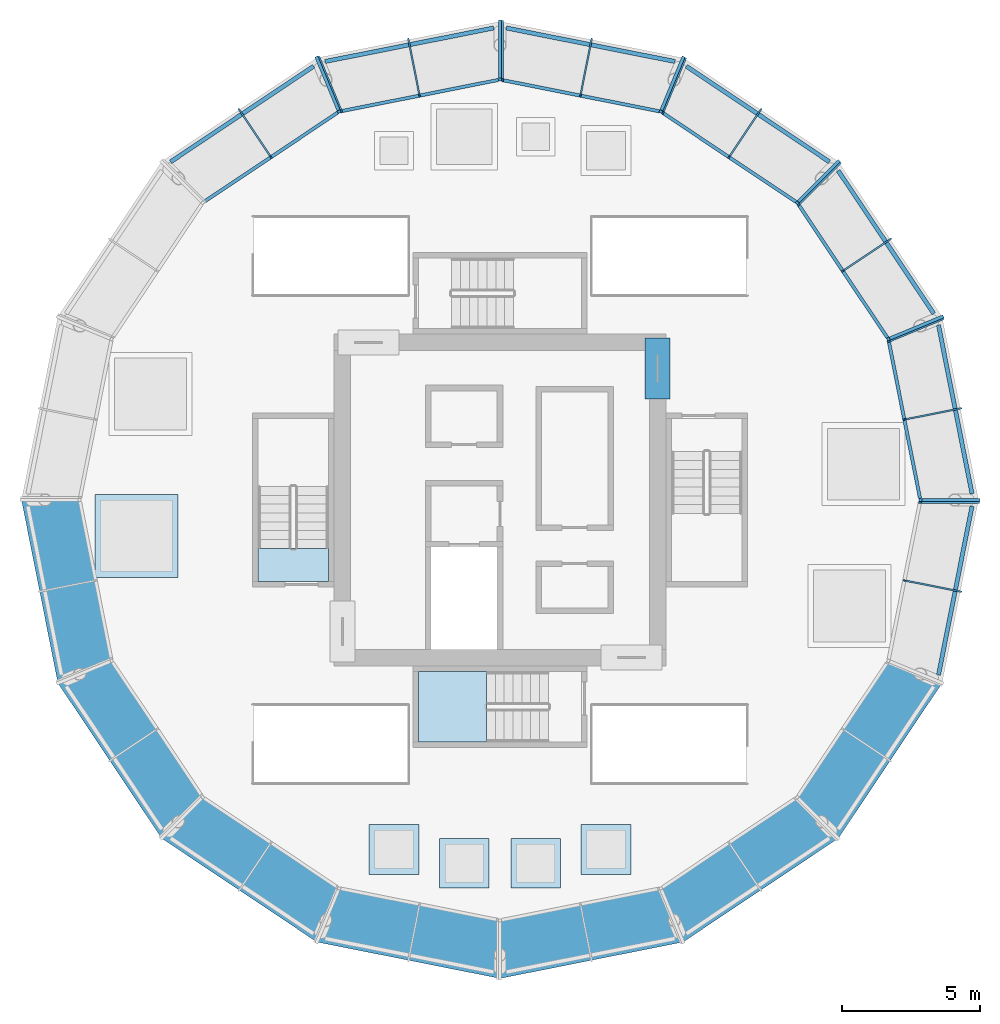
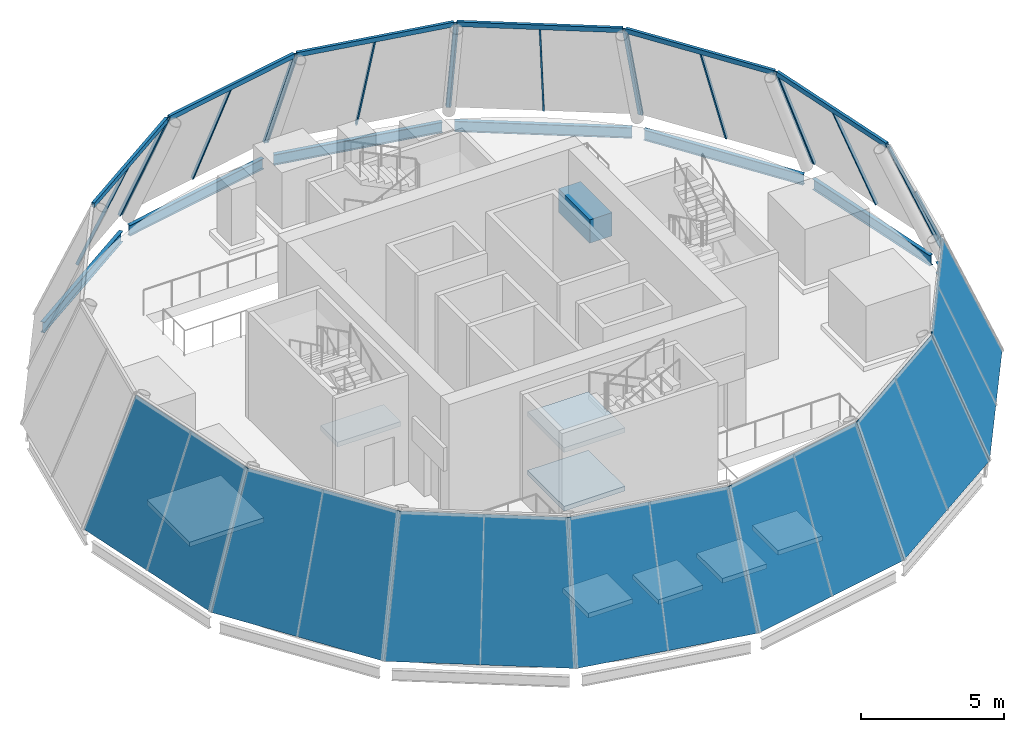
# One storey, part 2 of 8: 25 members, 8 beams, 8 slabs, 7 plates, 16 elements without a shape of their own.
"""IFC4 building model written with IfcOpenShell, lengths in metres."""

from ifc_helpers import new_model, si_unit, direction, frame, origin, origin_2d, place, context, subcontext, project, spatial, polyline, rectangle, hollow_rectangle, i_section, outline, extrude, material, layer, layer_set, material_profile, profile_set, type_object, element, aggregate, save


model = new_model("IFC4")

# Units and contexts
model_context = context("Model", 3, precision=1e-05, world=origin(), true_north=direction((0.0, 1.0)))
body_context = subcontext(model_context, "Body", "Model", "MODEL_VIEW")
ifc_project = project(units=[si_unit("LENGTHUNIT", "METRE"), si_unit("AREAUNIT", "SQUARE_METRE"), si_unit("VOLUMEUNIT", "CUBIC_METRE"), si_unit("PLANEANGLEUNIT", "RADIAN"), si_unit("MASSUNIT", "GRAM", prefix="KILO")], contexts=[model_context])

# Site, building, storey
site_placement = place(None, origin())
site = spatial("IfcSite", under=ifc_project, at=site_placement, CompositionType="ELEMENT")
building_placement = place(site_placement, origin())
building = spatial("IfcBuilding", under=site, at=building_placement, Name="Corvane Civic Tower", CompositionType="ELEMENT")
storey_placement = place(building_placement, frame((0.0, 0.0, 392.5)))
storey = spatial("IfcBuildingStorey", under=building, at=storey_placement, Name="L93", CompositionType="ELEMENT", Elevation=392.5)

# Beam
ifc_material_1 = material(Name="Concrete C40/50", Category="concrete")
ifc_material_profile_1 = material_profile(ifc_material_1, rectangle(XDim=0.89990234375, YDim=1.0, at=origin_2d()), Name="COUPLING BEAM 900X1000")
ifc_profile_set_1 = profile_set([ifc_material_profile_1], Name="Concrete C40/50")
beam_type_1 = type_object("IfcBeamType", Name="COUPLING BEAM COUPLING BEAM 900X1000", PredefinedType="BEAM", material=ifc_profile_set_1)
beam_1_placement = place(storey_placement, frame((5.699951171875, 3.64990234375, 2.60009765625), z_axis=(0.0, 1.0, 0.0), x_axis=(-1.0, 0.0, 0.0)))
element("IfcBeam", 1, at=beam_1_placement, inside=storey, type_object=beam_type_1, Name="BM-L93-cpl-CW-E", PredefinedType="BEAM", context=body_context, shape_type="SweptSolid", body=[
    extrude(rectangle(XDim=0.89990234375, YDim=1.0, at=origin_2d()), origin(), (0.0, 0.0, 1.0), 2.2001953125),
])

# Curtain wall, members
ifc_material_2 = material(Name="Aluminium and glass", Category="aluminium")
curtain_wall_type = type_object("IfcCurtainWallType", Name="CROWN-CW-K-FACET", PredefinedType="NOTDEFINED", material=ifc_material_2)
curtain_wall_1_placement = place(storey_placement, origin())
curtain_wall_1 = element("IfcCurtainWall", 2, at=curtain_wall_1_placement, inside=storey, type_object=curtain_wall_type, Name="Glass cone facet 1 row 2", PredefinedType="NOTDEFINED")
ifc_material_3 = material(Name="Steel ASTM A500 Gr C", Category="steel")
ifc_material_profile_2 = material_profile(ifc_material_3, hollow_rectangle(XDim=0.06005859375, YDim=0.1201171875, WallThickness=0.0048828125, at=origin_2d()), Name="RHS 120x60x5")
ifc_profile_set_2 = profile_set([ifc_material_profile_2], Name="Steel ASTM A500 Gr C")
member_type_1 = type_object("IfcMemberType", Name="CROWN-CWK-MULLION-RHS120x60x5", PredefinedType="MULLION", material=ifc_profile_set_2)
member_1_placement = place(storey_placement, frame((-3.310302734375, 16.6416015625, 0.0), z_axis=(0.074313307931, -0.373553043636, 0.924627306462), x_axis=(0.980780764941, 0.195113021404, 0.0)))
member_1 = element("IfcMember", 3, at=member_1_placement, type_object=member_type_1, Name="Cone mullion 1.2M", PredefinedType="MULLION", context=body_context, shape_type="SweptSolid", body=[
    extrude(hollow_rectangle(XDim=0.06005859375, YDim=0.1201171875, WallThickness=0.0048828125, at=origin_2d()), origin(), (0.0, 0.0, 1.0), 5.407470703125),
])
member_2_placement = place(storey_placement, frame((-6.531982421875, 16.000732421875, 0.0), z_axis=(0.148156706988, -0.357764008033, 0.921984004596), x_axis=(0.92391057023, 0.382608492088, 0.0)))
member_2 = element("IfcMember", 4, at=member_2_placement, type_object=member_type_1, Name="Cone mullion 1.2J", PredefinedType="MULLION", context=body_context, shape_type="SweptSolid", body=[
    extrude(hollow_rectangle(XDim=0.06005859375, YDim=0.1201171875, WallThickness=0.0048828125, at=origin_2d()), origin(), (0.0, 0.0, 1.0), 5.423095703125),
])

# Curtain wall, member
curtain_wall_2_placement = place(storey_placement, origin())
curtain_wall_2 = element("IfcCurtainWall", 5, at=curtain_wall_2_placement, inside=storey, type_object=curtain_wall_type, Name="Glass cone facet 2 row 2", PredefinedType="NOTDEFINED")
member_3_placement = place(storey_placement, frame((-9.426513671875, 14.10791015625, 0.0), z_axis=(0.211565606184, -0.316671182623, 0.924640122629), x_axis=(0.831502740295, 0.555520650274, 0.0)))
member_3 = element("IfcMember", 6, at=member_3_placement, type_object=member_type_1, Name="Cone mullion 2.2M", PredefinedType="MULLION", context=body_context, shape_type="SweptSolid", body=[
    extrude(hollow_rectangle(XDim=0.06005859375, YDim=0.1201171875, WallThickness=0.0048828125, at=origin_2d()), origin(), (0.0, 0.0, 1.0), 5.407470703125),
])

# Curtain wall, members
curtain_wall_3_placement = place(storey_placement, origin())
curtain_wall_3 = element("IfcCurtainWall", 7, at=curtain_wall_3_placement, inside=storey, type_object=curtain_wall_type, Name="Glass cone facet 12 row 2", PredefinedType="NOTDEFINED")
member_4_placement = place(storey_placement, frame((16.6416015625, -3.310302734375, 0.0), z_axis=(-0.373553043636, 0.074313307931, 0.924627306462), x_axis=(-0.195113021404, -0.980780764941, 0.0)))
member_4 = element("IfcMember", 8, at=member_4_placement, type_object=member_type_1, Name="Cone mullion 12.2M", PredefinedType="MULLION", context=body_context, shape_type="SweptSolid", body=[
    extrude(hollow_rectangle(XDim=0.06005859375, YDim=0.1201171875, WallThickness=0.0048828125, at=origin_2d()), origin(), (0.0, 0.0, 1.0), 5.407470703125),
])
member_5_placement = place(storey_placement, frame((17.282470703125, -0.08837890625, 0.0), z_axis=(-0.387247791457, 0.0, 0.921975676475), x_axis=(0.0, -1.0, 0.0)))
member_5 = element("IfcMember", 9, at=member_5_placement, type_object=member_type_1, Name="Cone mullion 12.2J", PredefinedType="MULLION", context=body_context, shape_type="SweptSolid", body=[
    extrude(hollow_rectangle(XDim=0.06005859375, YDim=0.1201171875, WallThickness=0.0048828125, at=origin_2d()), origin(), (0.0, 0.0, 1.0), 5.423095703125),
])
aggregate(curtain_wall_3, [member_4, member_5])

curtain_wall_4_placement = place(storey_placement, origin())
curtain_wall_4 = element("IfcCurtainWall", 10, at=curtain_wall_4_placement, inside=storey, type_object=curtain_wall_type, Name="Glass cone facet 13 row 2", PredefinedType="NOTDEFINED")
member_6_placement = place(storey_placement, frame((16.6416015625, 3.310302734375, 0.0), z_axis=(-0.373553043636, -0.074313307931, 0.924627306462), x_axis=(0.195113021404, -0.980780764941, 0.0)))
member_6 = element("IfcMember", 11, at=member_6_placement, type_object=member_type_1, Name="Cone mullion 13.2M", PredefinedType="MULLION", context=body_context, shape_type="SweptSolid", body=[
    extrude(hollow_rectangle(XDim=0.06005859375, YDim=0.1201171875, WallThickness=0.0048828125, at=origin_2d()), origin(), (0.0, 0.0, 1.0), 5.407470703125),
])
member_7_placement = place(storey_placement, frame((16.000732421875, 6.531982421875, 0.0), z_axis=(-0.357764008033, -0.148156706988, 0.921984004596), x_axis=(0.382608492088, -0.92391057023, 0.0)))
member_7 = element("IfcMember", 12, at=member_7_placement, type_object=member_type_1, Name="Cone mullion 13.2J", PredefinedType="MULLION", context=body_context, shape_type="SweptSolid", body=[
    extrude(hollow_rectangle(XDim=0.06005859375, YDim=0.1201171875, WallThickness=0.0048828125, at=origin_2d()), origin(), (0.0, 0.0, 1.0), 5.423095703125),
])

curtain_wall_5_placement = place(storey_placement, origin())
curtain_wall_5 = element("IfcCurtainWall", 13, at=curtain_wall_5_placement, inside=storey, type_object=curtain_wall_type, Name="Glass cone facet 14 row 2", PredefinedType="NOTDEFINED")
member_8_placement = place(storey_placement, frame((14.10791015625, 9.426513671875, 0.0), z_axis=(-0.316671182623, -0.211565606184, 0.924640122629), x_axis=(0.555520650274, -0.831502740295, 0.0)))
member_8 = element("IfcMember", 14, at=member_8_placement, type_object=member_type_1, Name="Cone mullion 14.2M", PredefinedType="MULLION", context=body_context, shape_type="SweptSolid", body=[
    extrude(hollow_rectangle(XDim=0.06005859375, YDim=0.1201171875, WallThickness=0.0048828125, at=origin_2d()), origin(), (0.0, 0.0, 1.0), 5.407470703125),
])
member_9_placement = place(storey_placement, frame((12.282958984375, 12.158203125, 0.0), z_axis=(-0.273801785104, -0.273846803484, 0.921976415477), x_axis=(0.707164905125, -0.70704865247, 0.0)))
member_9 = element("IfcMember", 15, at=member_9_placement, type_object=member_type_1, Name="Cone mullion 14.2J", PredefinedType="MULLION", context=body_context, shape_type="SweptSolid", body=[
    extrude(hollow_rectangle(XDim=0.06005859375, YDim=0.1201171875, WallThickness=0.0048828125, at=origin_2d()), origin(), (0.0, 0.0, 1.0), 5.423095703125),
])

curtain_wall_6_placement = place(storey_placement, origin())
curtain_wall_6 = element("IfcCurtainWall", 16, at=curtain_wall_6_placement, inside=storey, type_object=curtain_wall_type, Name="Glass cone facet 15 row 2", PredefinedType="NOTDEFINED")
member_10_placement = place(storey_placement, frame((9.426513671875, 14.10791015625, 0.0), z_axis=(-0.211565606184, -0.316671182623, 0.924640122629), x_axis=(0.831502740295, -0.555520650274, 0.0)))
member_10 = element("IfcMember", 17, at=member_10_placement, type_object=member_type_1, Name="Cone mullion 15.2M", PredefinedType="MULLION", context=body_context, shape_type="SweptSolid", body=[
    extrude(hollow_rectangle(XDim=0.06005859375, YDim=0.1201171875, WallThickness=0.0048828125, at=origin_2d()), origin(), (0.0, 0.0, 1.0), 5.407470703125),
])
member_11_placement = place(storey_placement, frame((6.6953125, 15.93310546875, 0.0), z_axis=(-0.148200737118, -0.35776162147, 0.921977854247), x_axis=(0.92386946962, -0.38270772543, 0.0)))
member_11 = element("IfcMember", 18, at=member_11_placement, type_object=member_type_1, Name="Cone mullion 15.2J", PredefinedType="MULLION", context=body_context, shape_type="SweptSolid", body=[
    extrude(hollow_rectangle(XDim=0.06005859375, YDim=0.1201171875, WallThickness=0.0048828125, at=origin_2d()), origin(), (0.0, 0.0, 1.0), 5.423095703125),
])

curtain_wall_7_placement = place(storey_placement, origin())
curtain_wall_7 = element("IfcCurtainWall", 19, at=curtain_wall_7_placement, inside=storey, type_object=curtain_wall_type, Name="Glass cone facet 16 row 2", PredefinedType="NOTDEFINED")
member_12_placement = place(storey_placement, frame((3.310302734375, 16.6416015625, 0.0), z_axis=(-0.074313307931, -0.373553043636, 0.924627306462), x_axis=(0.980780764941, -0.195113021404, 0.0)))
member_12 = element("IfcMember", 20, at=member_12_placement, type_object=member_type_1, Name="Cone mullion 16.2M", PredefinedType="MULLION", context=body_context, shape_type="SweptSolid", body=[
    extrude(hollow_rectangle(XDim=0.06005859375, YDim=0.1201171875, WallThickness=0.0048828125, at=origin_2d()), origin(), (0.0, 0.0, 1.0), 5.407470703125),
])
member_13_placement = place(storey_placement, frame((0.08837890625, 17.282470703125, 0.0), z_axis=(0.0, -0.387247791457, 0.921975676475), x_axis=(1.0, 0.0, 0.0)))
member_13 = element("IfcMember", 21, at=member_13_placement, type_object=member_type_1, Name="Cone mullion 16.2J", PredefinedType="MULLION", context=body_context, shape_type="SweptSolid", body=[
    extrude(hollow_rectangle(XDim=0.06005859375, YDim=0.1201171875, WallThickness=0.0048828125, at=origin_2d()), origin(), (0.0, 0.0, 1.0), 5.423095703125),
])

# Member
ifc_material_4 = material(Name="Steel ASTM A500 Gr C", Category="steel")
ifc_material_profile_3 = material_profile(ifc_material_4, hollow_rectangle(XDim=0.1201171875, YDim=0.1201171875, WallThickness=0.006103515625, at=origin_2d()), Name="RHS 120x120x6")
ifc_profile_set_3 = profile_set([ifc_material_profile_3], Name="Steel ASTM A500 Gr C")
member_type_2 = type_object("IfcMemberType", Name="CROWN-CWK-RIB-RHS120x120x6", PredefinedType="MULLION", material=ifc_profile_set_3)
member_14_placement = place(storey_placement, frame((0.0, 17.300048828125, 0.0), z_axis=(0.0, -0.387247791457, 0.921975676475), x_axis=(1.0, 0.0, 0.0)))
member_14 = element("IfcMember", 22, at=member_14_placement, type_object=member_type_2, Name="Cone rib 1.2", PredefinedType="MULLION", context=body_context, shape_type="SweptSolid", body=[
    extrude(hollow_rectangle(XDim=0.1201171875, YDim=0.1201171875, WallThickness=0.006103515625, at=origin_2d()), origin(), (0.0, 0.0, 1.0), 5.423095703125),
])

member_15_placement = place(storey_placement, frame((-6.620361328125, 15.983154296875, 0.0), z_axis=(0.148156706988, -0.357764008033, 0.921984004596), x_axis=(0.92391057023, 0.382608492088, 0.0)))
member_15 = element("IfcMember", 23, at=member_15_placement, type_object=member_type_2, Name="Cone rib 2.2", PredefinedType="MULLION", context=body_context, shape_type="SweptSolid", body=[
    extrude(hollow_rectangle(XDim=0.1201171875, YDim=0.1201171875, WallThickness=0.006103515625, at=origin_2d()), origin(), (0.0, 0.0, 1.0), 5.423095703125),
])

member_16_placement = place(storey_placement, frame((17.300048828125, 0.0, 0.0), z_axis=(-0.387247791457, 0.0, 0.921975676475), x_axis=(0.0, -1.0, 0.0)))
member_16 = element("IfcMember", 24, at=member_16_placement, type_object=member_type_2, Name="Cone rib 13.2", PredefinedType="MULLION", context=body_context, shape_type="SweptSolid", body=[
    extrude(hollow_rectangle(XDim=0.1201171875, YDim=0.1201171875, WallThickness=0.006103515625, at=origin_2d()), origin(), (0.0, 0.0, 1.0), 5.423095703125),
])

member_17_placement = place(storey_placement, frame((15.983154296875, 6.620361328125, 0.0), z_axis=(-0.357764008033, -0.148156706988, 0.921984004596), x_axis=(0.382608492088, -0.92391057023, 0.0)))
member_17 = element("IfcMember", 25, at=member_17_placement, type_object=member_type_2, Name="Cone rib 14.2", PredefinedType="MULLION", context=body_context, shape_type="SweptSolid", body=[
    extrude(hollow_rectangle(XDim=0.1201171875, YDim=0.1201171875, WallThickness=0.006103515625, at=origin_2d()), origin(), (0.0, 0.0, 1.0), 5.423095703125),
])

member_18_placement = place(storey_placement, frame((12.23291015625, 12.23291015625, 0.0), z_axis=(-0.273805160356, -0.273805160356, 0.921987781007), x_axis=(0.707106781187, -0.707106781187, 0.0)))
member_18 = element("IfcMember", 26, at=member_18_placement, type_object=member_type_2, Name="Cone rib 15.2", PredefinedType="MULLION", context=body_context, shape_type="SweptSolid", body=[
    extrude(hollow_rectangle(XDim=0.1201171875, YDim=0.1201171875, WallThickness=0.006103515625, at=origin_2d()), origin(), (0.0, 0.0, 1.0), 5.423095703125),
])

member_19_placement = place(storey_placement, frame((6.620361328125, 15.983154296875, 0.0), z_axis=(-0.148156706988, -0.357764008033, 0.921984004596), x_axis=(0.92391057023, -0.382608492088, 0.0)))
member_19 = element("IfcMember", 27, at=member_19_placement, type_object=member_type_2, Name="Cone rib 16.2", PredefinedType="MULLION", context=body_context, shape_type="SweptSolid", body=[
    extrude(hollow_rectangle(XDim=0.1201171875, YDim=0.1201171875, WallThickness=0.006103515625, at=origin_2d()), origin(), (0.0, 0.0, 1.0), 5.423095703125),
])

ifc_material_5 = material(Name="Steel ASTM A500 Gr C", Category="steel")
ifc_material_profile_4 = material_profile(ifc_material_5, hollow_rectangle(XDim=0.1201171875, YDim=0.199951171875, WallThickness=0.006103515625, at=origin_2d()), Name="RHS 200x120x6")
ifc_profile_set_4 = profile_set([ifc_material_profile_4], Name="Steel ASTM A500 Gr C")
member_type_3 = type_object("IfcMemberType", Name="CROWN-CWK-RING-RHS200x120x6", PredefinedType="USERDEFINED", material=ifc_profile_set_4)
member_20_placement = place(storey_placement, frame((-0.058837890625, 15.188232421875, 5.0), z_axis=(-0.980788578757, -0.195073739341, 0.0), x_axis=(0.195073739341, -0.980788578757, 0.0)))
member_20 = element("IfcMember", 28, at=member_20_placement, type_object=member_type_3, Name="Cone ring member 1.2", ObjectType="TRANSOM", PredefinedType="USERDEFINED", context=body_context, shape_type="SweptSolid", body=[
    extrude(hollow_rectangle(XDim=0.1201171875, YDim=0.199951171875, WallThickness=0.006103515625, at=origin_2d()), origin(), (0.0, 0.0, 1.0), 5.810791015625),
])

aggregate(curtain_wall_1, [member_14, member_20, member_1, member_2])

member_21_placement = place(storey_placement, frame((-5.86669921875, 14.009521484375, 5.0), z_axis=(-0.83149397429, -0.555533770998, 0.0), x_axis=(0.555533770998, -0.83149397429, 0.0)))
member_21 = element("IfcMember", 29, at=member_21_placement, type_object=member_type_3, Name="Cone ring member 2.2", ObjectType="TRANSOM", PredefinedType="USERDEFINED", context=body_context, shape_type="SweptSolid", body=[
    extrude(hollow_rectangle(XDim=0.1201171875, YDim=0.199951171875, WallThickness=0.006103515625, at=origin_2d()), origin(), (0.0, 0.0, 1.0), 5.810791015625),
])

aggregate(curtain_wall_2, [member_15, member_21, member_3])

member_22_placement = place(storey_placement, frame((15.188232421875, 0.058837890625, 5.0), z_axis=(-0.195073739341, 0.980788578757, 0.0), x_axis=(-0.980788578757, -0.195073739341, 0.0)))
member_22 = element("IfcMember", 30, at=member_22_placement, type_object=member_type_3, Name="Cone ring member 13.2", ObjectType="TRANSOM", PredefinedType="USERDEFINED", context=body_context, shape_type="SweptSolid", body=[
    extrude(hollow_rectangle(XDim=0.1201171875, YDim=0.199951171875, WallThickness=0.006103515625, at=origin_2d()), origin(), (0.0, 0.0, 1.0), 5.810791015625),
])

aggregate(curtain_wall_4, [member_16, member_22, member_6, member_7])

member_23_placement = place(storey_placement, frame((14.009521484375, 5.86669921875, 5.0), z_axis=(-0.555533770998, 0.83149397429, 0.0), x_axis=(-0.83149397429, -0.555533770998, 0.0)))
member_23 = element("IfcMember", 31, at=member_23_placement, type_object=member_type_3, Name="Cone ring member 14.2", ObjectType="TRANSOM", PredefinedType="USERDEFINED", context=body_context, shape_type="SweptSolid", body=[
    extrude(hollow_rectangle(XDim=0.1201171875, YDim=0.199951171875, WallThickness=0.006103515625, at=origin_2d()), origin(), (0.0, 0.0, 1.0), 5.810791015625),
])

aggregate(curtain_wall_5, [member_17, member_23, member_8, member_9])

member_24_placement = place(storey_placement, frame((10.6982421875, 10.781494140625, 5.0), z_axis=(-0.83149397429, 0.555533770998, 0.0), x_axis=(-0.555533770998, -0.83149397429, 0.0)))
member_24 = element("IfcMember", 32, at=member_24_placement, type_object=member_type_3, Name="Cone ring member 15.2", ObjectType="TRANSOM", PredefinedType="USERDEFINED", context=body_context, shape_type="SweptSolid", body=[
    extrude(hollow_rectangle(XDim=0.1201171875, YDim=0.199951171875, WallThickness=0.006103515625, at=origin_2d()), origin(), (0.0, 0.0, 1.0), 5.810791015625),
])

aggregate(curtain_wall_6, [member_18, member_24, member_10, member_11])

member_25_placement = place(storey_placement, frame((5.758056640625, 14.0546875, 5.0), z_axis=(-0.980788578757, 0.195073739341, 0.0), x_axis=(-0.195073739341, -0.980788578757, 0.0)))
member_25 = element("IfcMember", 33, at=member_25_placement, type_object=member_type_3, Name="Cone ring member 16.2", ObjectType="TRANSOM", PredefinedType="USERDEFINED", context=body_context, shape_type="SweptSolid", body=[
    extrude(hollow_rectangle(XDim=0.1201171875, YDim=0.199951171875, WallThickness=0.006103515625, at=origin_2d()), origin(), (0.0, 0.0, 1.0), 5.810791015625),
])

aggregate(curtain_wall_7, [member_19, member_25, member_12, member_13])

# Beams
ifc_material_6 = material(Name="Steel ASTM A992 Gr 50", Category="steel")
ifc_material_profile_5 = material_profile(ifc_material_6, i_section(OverallWidth=0.15283203125, OverallDepth=0.45458984375, WebThickness=0.008056640625, FlangeThickness=0.013427734375, at=origin_2d()), Name="W18X40")
ifc_profile_set_5 = profile_set([ifc_material_profile_5], Name="Steel ASTM A992 Gr 50")
beam_type_2 = type_object("IfcBeamType", Name="EDGE BEAM W18X40", PredefinedType="BEAM", material=ifc_profile_set_5)
beam_2_placement = place(storey_placement, frame((0.220703125, 17.068603515625, -0.67724609375), z_axis=(0.980791228177, -0.195060418156, 0.0), x_axis=(0.195060418156, 0.980791228177, 0.0)))
element("IfcBeam", 34, at=beam_2_placement, inside=storey, type_object=beam_type_2, Name="BM-L93-E01", PredefinedType="BEAM", context=body_context, shape_type="SweptSolid", body=[
    extrude(i_section(OverallWidth=0.15283203125, OverallDepth=0.45458984375, WebThickness=0.008056640625, FlangeThickness=0.013427734375, at=origin_2d()), origin(), (0.0, 0.0, 1.0), 6.226806640625),
])
for number, where, z_axis, x_axis, name in (
    (35, (6.735595703125, 15.68505859375, -0.67724609375), (0.831464768683, -0.555577481941, 0.0), (0.555577481941, 0.831464768683, 0.0), "BM-L93-E02"),
    (36, (12.225341796875, 11.913330078125, -0.67724609375), (0.555577481941, -0.831464768683, 0.0), (0.831464768683, 0.555577481941, 0.0), "BM-L93-E03"),
):
    element("IfcBeam", number, at=place(storey_placement, frame(where, z_axis=z_axis, x_axis=x_axis)), inside=storey, type_object=beam_type_2, Name=name, PredefinedType="BEAM", context=body_context, shape_type="SweptSolid", body=[
        extrude(i_section(OverallWidth=0.15283203125, OverallDepth=0.45458984375, WebThickness=0.008056640625, FlangeThickness=0.013427734375, at=origin_2d()), origin(), (0.0, 0.0, 1.0), 6.227294921875),
    ])
for number, where, z_axis, x_axis, name in (
    (37, (15.85400390625, 6.327880859375, -0.67724609375), (0.195060418156, -0.980791228177, 0.0), (0.980791228177, 0.195060418156, 0.0), "BM-L93-E04"),
    (38, (17.068603515625, -0.220703125, -0.67724609375), (-0.195060418156, -0.980791228177, 0.0), (0.980791228177, -0.195060418156, 0.0), "BM-L93-E05"),
):
    element("IfcBeam", number, at=place(storey_placement, frame(where, z_axis=z_axis, x_axis=x_axis)), inside=storey, type_object=beam_type_2, Name=name, PredefinedType="BEAM", context=body_context, shape_type="SweptSolid", body=[
        extrude(i_section(OverallWidth=0.15283203125, OverallDepth=0.45458984375, WebThickness=0.008056640625, FlangeThickness=0.013427734375, at=origin_2d()), origin(), (0.0, 0.0, 1.0), 6.226806640625),
    ])
beam_3_placement = place(storey_placement, frame((-11.913330078125, 12.225341796875, -0.67724609375), z_axis=(0.831464768683, 0.555577481941, 0.0), x_axis=(-0.555577481941, 0.831464768683, 0.0)))
element("IfcBeam", 39, at=beam_3_placement, inside=storey, type_object=beam_type_2, Name="BM-L93-E15", PredefinedType="BEAM", context=body_context, shape_type="SweptSolid", body=[
    extrude(i_section(OverallWidth=0.15283203125, OverallDepth=0.45458984375, WebThickness=0.008056640625, FlangeThickness=0.013427734375, at=origin_2d()), origin(), (0.0, 0.0, 1.0), 6.227294921875),
])
beam_4_placement = place(storey_placement, frame((-6.327880859375, 15.85400390625, -0.67724609375), z_axis=(0.980791228177, 0.195060418156, 0.0), x_axis=(-0.195060418156, 0.980791228177, 0.0)))
element("IfcBeam", 40, at=beam_4_placement, inside=storey, type_object=beam_type_2, Name="BM-L93-E16", PredefinedType="BEAM", context=body_context, shape_type="SweptSolid", body=[
    extrude(i_section(OverallWidth=0.15283203125, OverallDepth=0.45458984375, WebThickness=0.008056640625, FlangeThickness=0.013427734375, at=origin_2d()), origin(), (0.0, 0.0, 1.0), 6.226806640625),
])

# Curtain wall, plate
curtain_wall_8_placement = place(storey_placement, origin())
curtain_wall_8 = element("IfcCurtainWall", 41, at=curtain_wall_8_placement, inside=storey, type_object=curtain_wall_type, Name="Glass cone facet 5 row 2", PredefinedType="NOTDEFINED")
ifc_material_7 = material(Name="Glass tinted low-e laminated", Category="glass")
ifc_layer_1 = layer(ifc_material_7, 0.030029296875)
ifc_layer_set_1 = layer_set([ifc_layer_1], Name="Glass tinted low-e laminated")
plate_type = type_object("IfcPlateType", Name="CROWN-CWK-PANEL-IGU30", PredefinedType="CURTAIN_PANEL", material=ifc_layer_set_1)
plate_1_placement = place(storey_placement, frame((-17.300048828125, 0.0, 0.0), z_axis=(-0.906855382368, -0.180381320094, 0.380888297052), x_axis=(0.195087741585, -0.980785793676, 2.447695e-06)))
plate_1 = element("IfcPlate", 42, at=plate_1_placement, type_object=plate_type, Name="Cone glass panel 5.2", PredefinedType="CURTAIN_PANEL", context=body_context, shape_type="SweptSolid", body=[
    extrude(outline(polyline([(0.0, 0.0), (6.75006631963624, -5.551115123125783e-17), (6.34055615463966, 5.407603930842758), (0.4097155473390921, 5.407637500255887), (0.0, 0.0)])), origin(), (0.0, 0.0, -1.0), 0.030029296875),
])
aggregate(curtain_wall_8, [plate_1])

curtain_wall_9_placement = place(storey_placement, origin())
curtain_wall_9 = element("IfcCurtainWall", 43, at=curtain_wall_9_placement, inside=storey, type_object=curtain_wall_type, Name="Glass cone facet 6 row 2", PredefinedType="NOTDEFINED")
plate_2_placement = place(storey_placement, frame((-15.983154296875, -6.620361328125, 0.0), z_axis=(-0.768797960736, -0.513700945955, 0.380868788027), x_axis=(0.555575309087, -0.83146622056, 4.74259e-07)))
plate_2 = element("IfcPlate", 44, at=plate_2_placement, type_object=plate_type, Name="Cone glass panel 6.2", PredefinedType="CURTAIN_PANEL", context=body_context, shape_type="SweptSolid", body=[
    extrude(outline(polyline([(0.0, 0.0), (6.750187809410106, 2.220446049250313e-16), (6.34052989662686, 5.407570463935949), (0.40986605524184344, 5.407576968169113), (0.0, 0.0)])), origin(), (0.0, 0.0, -1.0), 0.030029296875),
])
aggregate(curtain_wall_9, [plate_2])

curtain_wall_10_placement = place(storey_placement, origin())
curtain_wall_10 = element("IfcCurtainWall", 45, at=curtain_wall_10_placement, inside=storey, type_object=curtain_wall_type, Name="Glass cone facet 7 row 2", PredefinedType="NOTDEFINED")
plate_3_placement = place(storey_placement, frame((-12.23291015625, -12.23291015625, 0.0), z_axis=(-0.513700945955, -0.768797960736, 0.380868788027), x_axis=(0.83146622056, -0.555575309087, -4.74259e-07)))
plate_3 = element("IfcPlate", 46, at=plate_3_placement, type_object=plate_type, Name="Cone glass panel 7.2", PredefinedType="CURTAIN_PANEL", context=body_context, shape_type="SweptSolid", body=[
    extrude(outline(polyline([(0.0, 0.0), (6.750187809410106, -2.220446049250313e-16), (6.3403217541682615, 5.407576968169113), (0.4096579127832462, 5.407570463935949), (0.0, 0.0)])), origin(), (0.0, 0.0, -1.0), 0.030029296875),
])
aggregate(curtain_wall_10, [plate_3])

curtain_wall_11_placement = place(storey_placement, origin())
curtain_wall_11 = element("IfcCurtainWall", 47, at=curtain_wall_11_placement, inside=storey, type_object=curtain_wall_type, Name="Glass cone facet 8 row 2", PredefinedType="NOTDEFINED")
plate_4_placement = place(storey_placement, frame((-6.620361328125, -15.983154296875, 0.0), z_axis=(-0.180381320094, -0.906855382368, 0.380888297052), x_axis=(0.980785793676, -0.195087741585, -2.447695e-06)))
plate_4 = element("IfcPlate", 48, at=plate_4_placement, type_object=plate_type, Name="Cone glass panel 8.2", PredefinedType="CURTAIN_PANEL", context=body_context, shape_type="SweptSolid", body=[
    extrude(outline(polyline([(0.0, 0.0), (6.75006631963624, 5.551115123125783e-17), (6.340350772297147, 5.407637500255888), (0.4095101649965811, 5.407603930842759), (0.0, 0.0)])), origin(), (0.0, 0.0, -1.0), 0.030029296875),
])
aggregate(curtain_wall_11, [plate_4])

curtain_wall_12_placement = place(storey_placement, origin())
curtain_wall_12 = element("IfcCurtainWall", 49, at=curtain_wall_12_placement, inside=storey, type_object=curtain_wall_type, Name="Glass cone facet 9 row 2", PredefinedType="NOTDEFINED")
plate_5_placement = place(storey_placement, frame((0.0, -17.300048828125, 0.0), z_axis=(0.180381320094, -0.906855382368, 0.380888297052), x_axis=(0.980785793676, 0.195087741585, 2.447695e-06)))
plate_5 = element("IfcPlate", 50, at=plate_5_placement, type_object=plate_type, Name="Cone glass panel 9.2", PredefinedType="CURTAIN_PANEL", context=body_context, shape_type="SweptSolid", body=[
    extrude(outline(polyline([(0.0, 0.0), (6.75006631963624, -5.551115123125783e-17), (6.34055615463966, 5.407603930842758), (0.4097155473390921, 5.407637500255887), (0.0, 0.0)])), origin(), (0.0, 0.0, -1.0), 0.030029296875),
])
aggregate(curtain_wall_12, [plate_5])

curtain_wall_13_placement = place(storey_placement, origin())
curtain_wall_13 = element("IfcCurtainWall", 51, at=curtain_wall_13_placement, inside=storey, type_object=curtain_wall_type, Name="Glass cone facet 10 row 2", PredefinedType="NOTDEFINED")
plate_6_placement = place(storey_placement, frame((6.620361328125, -15.983154296875, 0.0), z_axis=(0.513700945955, -0.768797960736, 0.380868788027), x_axis=(0.83146622056, 0.555575309087, 4.74259e-07)))
plate_6 = element("IfcPlate", 52, at=plate_6_placement, type_object=plate_type, Name="Cone glass panel 10.2", PredefinedType="CURTAIN_PANEL", context=body_context, shape_type="SweptSolid", body=[
    extrude(outline(polyline([(0.0, 0.0), (6.750187809410106, 2.220446049250313e-16), (6.34052989662686, 5.407570463935949), (0.40986605524184344, 5.407576968169113), (0.0, 0.0)])), origin(), (0.0, 0.0, -1.0), 0.030029296875),
])
aggregate(curtain_wall_13, [plate_6])

curtain_wall_14_placement = place(storey_placement, origin())
curtain_wall_14 = element("IfcCurtainWall", 53, at=curtain_wall_14_placement, inside=storey, type_object=curtain_wall_type, Name="Glass cone facet 11 row 2", PredefinedType="NOTDEFINED")
plate_7_placement = place(storey_placement, frame((12.23291015625, -12.23291015625, 0.0), z_axis=(0.768797960736, -0.513700945955, 0.380868788027), x_axis=(0.555575309087, 0.83146622056, -4.74259e-07)))
plate_7 = element("IfcPlate", 54, at=plate_7_placement, type_object=plate_type, Name="Cone glass panel 11.2", PredefinedType="CURTAIN_PANEL", context=body_context, shape_type="SweptSolid", body=[
    extrude(outline(polyline([(0.0, 0.0), (6.750187809410106, -2.220446049250313e-16), (6.3403217541682615, 5.407576968169113), (0.4096579127832462, 5.407570463935949), (0.0, 0.0)])), origin(), (0.0, 0.0, -1.0), 0.030029296875),
])
aggregate(curtain_wall_14, [plate_7])

# Slabs
ifc_material_8 = material(Name="Concrete C30/37", Category="concrete")
ifc_layer_2 = layer(ifc_material_8, 0.199951171875)
ifc_layer_set_2 = layer_set([ifc_layer_2], Name="Concrete C30/37")
slab_type_1 = type_object("IfcSlabType", Name="CROWN-SL-PLINTH-200", PredefinedType="USERDEFINED", material=ifc_layer_set_2)
slab_1_placement = place(storey_placement, origin())
element("IfcSlab", 55, at=slab_1_placement, inside=storey, type_object=slab_type_1, Name="Lift machine room plinth L93-04", ObjectType="PLINTH", PredefinedType="USERDEFINED", context=body_context, shape_type="SweptSolid", body=[
    extrude(outline(polyline([(-11.635986328125, -2.7939453125), (-11.635986328125, 0.2060546875), (-14.635986328125, 0.2060546875), (-14.635986328125, -2.7939453125), (-11.635986328125, -2.7939453125)])), origin(), (0.0, 0.0, 1.0), 0.199951171875),
])
slab_2_placement = place(storey_placement, origin())
element("IfcSlab", 56, at=slab_2_placement, inside=storey, type_object=slab_type_1, Name="Air handler plinth L93-05", ObjectType="PLINTH", PredefinedType="USERDEFINED", context=body_context, shape_type="SweptSolid", body=[
    extrude(outline(polyline([(-2.931884765625, -13.531982421875), (-2.931884765625, -11.73193359375), (-4.73193359375, -11.73193359375), (-4.73193359375, -13.531982421875), (-2.931884765625, -13.531982421875)])), origin(), (0.0, 0.0, 1.0), 0.199951171875),
])
slab_3_placement = place(storey_placement, origin())
element("IfcSlab", 57, at=slab_3_placement, inside=storey, type_object=slab_type_1, Name="Chiller plinth L93-06", ObjectType="PLINTH", PredefinedType="USERDEFINED", context=body_context, shape_type="SweptSolid", body=[
    extrude(outline(polyline([(-0.39404296875, -14.035888671875), (-0.39404296875, -12.236083984375), (-2.194091796875, -12.236083984375), (-2.194091796875, -14.035888671875), (-0.39404296875, -14.035888671875)])), origin(), (0.0, 0.0, 1.0), 0.199951171875),
])
slab_4_placement = place(storey_placement, origin())
element("IfcSlab", 58, at=slab_4_placement, inside=storey, type_object=slab_type_1, Name="Water tank plinth L93-07", ObjectType="PLINTH", PredefinedType="USERDEFINED", context=body_context, shape_type="SweptSolid", body=[
    extrude(outline(polyline([(2.194091796875, -14.035888671875), (2.194091796875, -12.236083984375), (0.39404296875, -12.236083984375), (0.39404296875, -14.035888671875), (2.194091796875, -14.035888671875)])), origin(), (0.0, 0.0, 1.0), 0.199951171875),
])
slab_5_placement = place(storey_placement, origin())
element("IfcSlab", 59, at=slab_5_placement, inside=storey, type_object=slab_type_1, Name="Lift machine room plinth L93-08", ObjectType="PLINTH", PredefinedType="USERDEFINED", context=body_context, shape_type="SweptSolid", body=[
    extrude(outline(polyline([(4.73193359375, -13.531982421875), (4.73193359375, -11.73193359375), (2.931884765625, -11.73193359375), (2.931884765625, -13.531982421875), (4.73193359375, -13.531982421875)])), origin(), (0.0, 0.0, 1.0), 0.199951171875),
])

# Stair, slab
ifc_material_9 = material(Name="Concrete C40/50", Category="concrete")
stair_type = type_object("IfcStairType", Name="ST-STAIR-HALFTURN", PredefinedType="HALF_TURN_STAIR", material=ifc_material_9)
stair_1_placement = place(storey_placement, origin())
stair_1 = element("IfcStair", 60, at=stair_1_placement, inside=storey, type_object=stair_type, Name="L93 Crown stair CS3", PredefinedType="HALF_TURN_STAIR")
ifc_material_10 = material(Name="Concrete C40/50", Category="concrete")
ifc_layer_3 = layer(ifc_material_10, 0.199951171875)
ifc_layer_set_3 = layer_set([ifc_layer_3], Name="Concrete C40/50")
slab_type_2 = type_object("IfcSlabType", Name="ST-LANDING-RC", PredefinedType="LANDING", material=ifc_layer_set_3)
slab_6_placement = place(storey_placement, frame((0.0, 0.0, 2.300048828125)))
slab_6 = element("IfcSlab", 61, at=slab_6_placement, type_object=slab_type_2, Name="CS3 landing 2", PredefinedType="LANDING", context=body_context, shape_type="SweptSolid", body=[
    extrude(outline(polyline([(-6.199951171875, -2.949951171875), (-6.199951171875, -1.75), (-8.75, -1.75), (-8.75, -2.949951171875), (-6.199951171875, -2.949951171875)])), origin(), (0.0, 0.0, 1.0), 0.199951171875),
])
aggregate(stair_1, [slab_6])

# Stair, slabs
stair_2_placement = place(storey_placement, origin())
stair_2 = element("IfcStair", 62, at=stair_2_placement, inside=storey, type_object=stair_type, Name="L93 Crown stair CS4", PredefinedType="HALF_TURN_STAIR")
slab_7_placement = place(storey_placement, frame((0.0, 0.0, 1.050048828125)))
slab_7 = element("IfcSlab", 63, at=slab_7_placement, type_object=slab_type_2, Name="CS4 landing 1", PredefinedType="LANDING", context=body_context, shape_type="SweptSolid", body=[
    extrude(outline(polyline([(-0.489990234375, -6.199951171875), (-2.949951171875, -6.199951171875), (-2.949951171875, -8.75), (-0.489990234375, -8.75), (-0.489990234375, -6.199951171875)])), origin(), (0.0, 0.0, 1.0), 0.199951171875),
])
slab_8_placement = place(storey_placement, frame((0.0, 0.0, 3.550048828125)))
slab_8 = element("IfcSlab", 64, at=slab_8_placement, type_object=slab_type_2, Name="CS4 landing 3", PredefinedType="LANDING", context=body_context, shape_type="SweptSolid", body=[
    extrude(outline(polyline([(-0.489990234375, -6.199951171875), (-2.949951171875, -6.199951171875), (-2.949951171875, -8.75), (-0.489990234375, -8.75), (-0.489990234375, -6.199951171875)])), origin(), (0.0, 0.0, 1.0), 0.199951171875),
])
aggregate(stair_2, [slab_7, slab_8])

save(model, "model.ifc")
